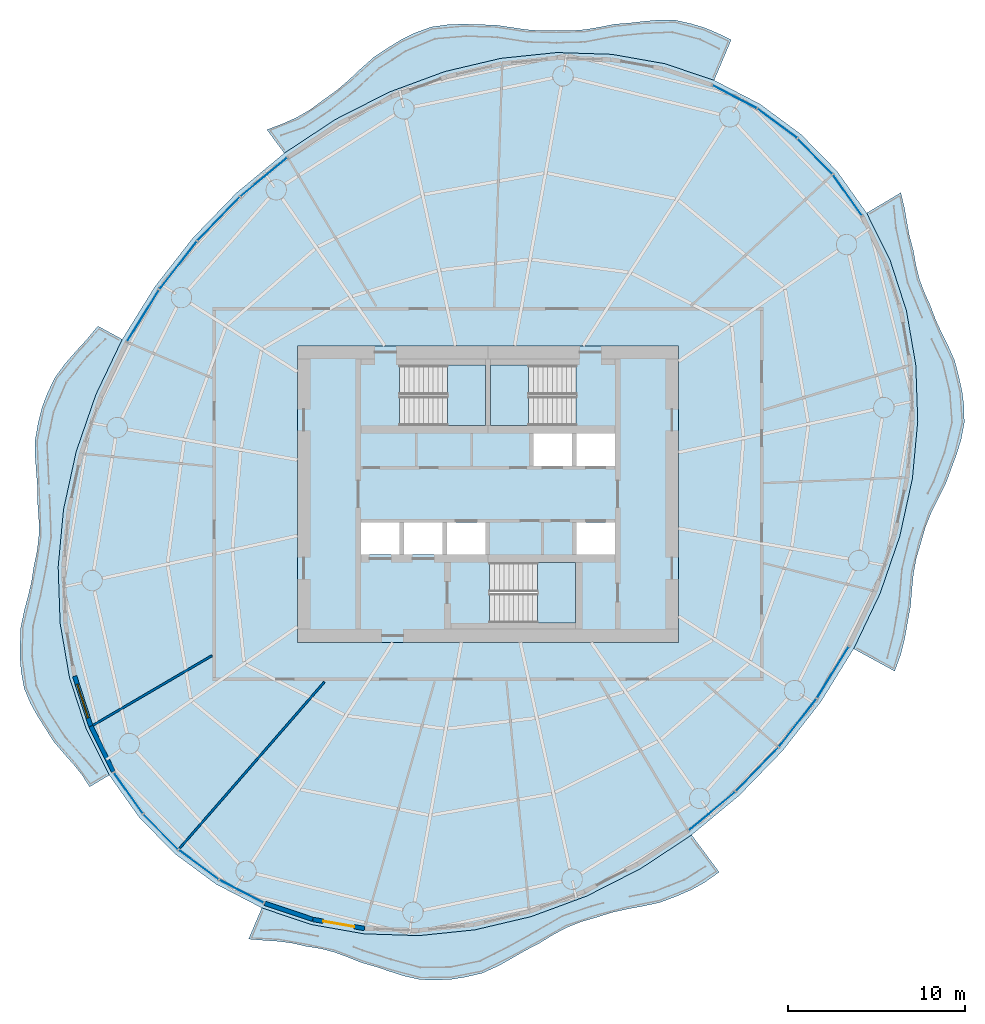
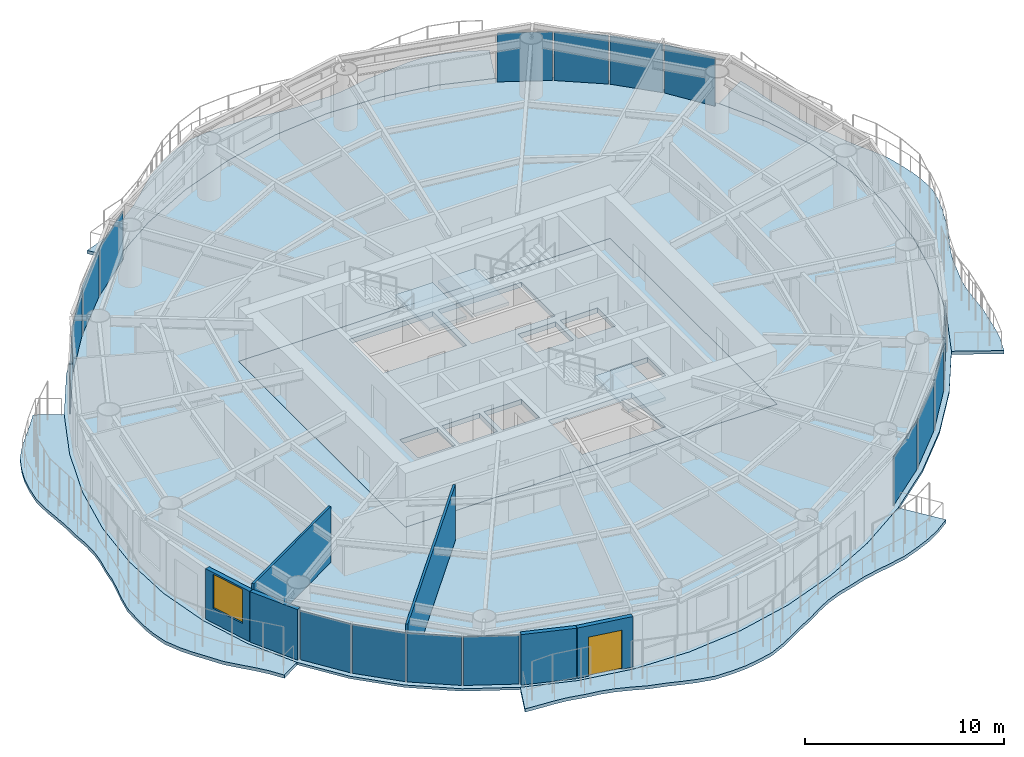
# One storey, part 7 of 14: 16 plates, 9 slabs, 6 walls, 1 door, 1 window, 2 openings, 19 elements without a shape of their own.
"""IFC4 building model written with IfcOpenShell, lengths in metres."""

from ifc_helpers import new_model, si_unit, direction, frame, frame_2d, origin, origin_2d, place, context, subcontext, project, spatial, polyline, rectangle, outline, extrude, material, layer, layer_set, type_object, element, fill, aggregate, save


model = new_model("IFC4")

# Units and contexts
model_context = context("Model", 3, precision=1e-05, world=origin(), true_north=direction((0.0, 1.0)))
body_context = subcontext(model_context, "Body", "Model", "MODEL_VIEW")
ifc_project = project(units=[si_unit("LENGTHUNIT", "METRE"), si_unit("AREAUNIT", "SQUARE_METRE"), si_unit("VOLUMEUNIT", "CUBIC_METRE"), si_unit("PLANEANGLEUNIT", "RADIAN"), si_unit("MASSUNIT", "GRAM", prefix="KILO")], contexts=[model_context])

# Site, building, storey
site_placement = place(None, origin())
site = spatial("IfcSite", under=ifc_project, at=site_placement, CompositionType="ELEMENT")
building_placement = place(site_placement, origin())
building = spatial("IfcBuilding", under=site, at=building_placement, Name="Vermilion Reach Broadcast Tower", CompositionType="ELEMENT")
storey_placement = place(building_placement, frame((0.0, 0.0, 228.10009765625)))
storey = spatial("IfcBuildingStorey", under=building, at=storey_placement, Name="L56", CompositionType="ELEMENT", Elevation=228.10009765625)

# Slabs
ifc_material_1 = material(Name="Concrete C40/50", Category="concrete")
ifc_layer_1 = layer(ifc_material_1, 0.199951171875)
ifc_layer_set_1 = layer_set([ifc_layer_1], Name="Balcony slab 200")
slab_type_1 = type_object("IfcSlabType", Name="Balcony slab 200", PredefinedType="FLOOR", material=ifc_layer_set_1)
placement_1 = place(storey_placement, frame((0.0, 0.0, -0.2001953125)))
element("IfcSlab", 1, at=placement_1, inside=storey, type_object=slab_type_1, Name="Balcony slab L56 group 1", PredefinedType="FLOOR", context=body_context, shape_type="SweptSolid", body=[
    extrude(outline(polyline([(6.810791015625, 23.44189453125), (3.996826171875, 24.38525390625), (1.01220703125, 24.91162109375), (-2.092529296875, 25.01171875), (-5.26416015625, 24.683837890625), (-8.448486328125, 23.93359375), (-11.5908203125, 22.77392578125), (-14.637451171875, 21.224365234375), (-17.536376953125, 19.311767578125), (-18.520751953125, 20.639404296875), (-17.603271484375, 20.989990234375), (-16.801513671875, 21.351318359375), (-16.050537109375, 21.789794921875), (-15.29296875, 22.3515625), (-14.52978515625, 22.897705078125), (-13.863525390625, 23.47265625), (-13.2158203125, 24.083984375), (-12.4580078125, 24.75830078125), (-11.63134765625, 25.302490234375), (-10.903564453125, 25.748779296875), (-10.148193359375, 26.12060546875), (-9.2099609375, 26.462646484375), (-8.236083984375, 26.59814453125), (-7.40185546875, 26.623779296875), (-6.55517578125, 26.596923828125), (-5.5830078125, 26.57275390625), (-4.6435546875, 26.4326171875), (-3.829833984375, 26.3125), (-3.02197265625, 26.24951171875), (-2.13720703125, 26.269287109375), (-1.275634765625, 26.251953125), (-0.49658203125, 26.3154296875), (0.28466796875, 26.4462890625), (1.189697265625, 26.623291015625), (2.095703125, 26.69384765625), (2.881591796875, 26.78662109375), (3.6630859375, 26.85546875), (4.622802734375, 26.846435546875), (5.53515625, 26.638916015625), (6.245849609375, 26.4248046875), (6.93359375, 26.14208984375), (7.7822265625, 25.734375), (6.810791015625, 23.44189453125)])), origin(), (0.0, 0.0, 1.0), 0.2001953125),
])
element("IfcSlab", 2, at=placement_1, inside=storey, type_object=slab_type_1, Name="Balcony slab L56 group 2", PredefinedType="FLOOR", context=body_context, shape_type="SweptSolid", body=[
    extrude(outline(polyline([(-26.71728515625, 8.765380859375), (-28.212158203125, 5.630615234375), (-29.326904296875, 2.3994140625), (-30.042724609375, -0.872802734375), (-30.346923828125, -4.1298828125), (-30.23486328125, -7.31640625), (-29.707763671875, -10.3779296875), (-28.775390625, -13.26171875), (-27.453125, -15.91845703125), (-28.558837890625, -16.580078125), (-29.026611328125, -15.872802734375), (-29.502197265625, -15.281005859375), (-30.01513671875, -14.707275390625), (-30.61181640625, -14.0107421875), (-31.10498046875, -13.21875), (-31.526611328125, -12.55859375), (-31.901611328125, -11.883544921875), (-32.272705078125, -11.009765625), (-32.4453125, -10.06103515625), (-32.50830078125, -9.283935546875), (-32.501220703125, -8.49462890625), (-32.4658203125, -7.546630859375), (-32.2646484375, -6.59033203125), (-32.0517578125, -5.78515625), (-31.861328125, -4.98095703125), (-31.722900390625, -4.090087890625), (-31.53662109375, -3.197265625), (-31.443603515625, -2.384521484375), (-31.43798828125, -1.563720703125), (-31.50244140625, -0.645751953125), (-31.514404296875, 0.306396484375), (-31.578857421875, 1.177734375), (-31.64501953125, 2.04931640625), (-31.650146484375, 3.052001953125), (-31.4775390625, 4.04541015625), (-31.270751953125, 4.8779296875), (-30.97314453125, 5.67919921875), (-30.541748046875, 6.58447265625), (-29.932373046875, 7.412841796875), (-29.33642578125, 8.090576171875), (-28.724853515625, 8.7607421875), (-28.093994140625, 9.51708984375), (-26.71728515625, 8.765380859375)])), origin(), (0.0, 0.0, 1.0), 0.2001953125),
])
element("IfcSlab", 3, at=placement_1, inside=storey, type_object=slab_type_1, Name="Balcony slab L56 group 3", PredefinedType="FLOOR", context=body_context, shape_type="SweptSolid", body=[
    extrude(outline(polyline([(-18.810791015625, -23.44189453125), (-15.996826171875, -24.38525390625), (-13.01220703125, -24.91162109375), (-9.907470703125, -25.01171875), (-6.73583984375, -24.683837890625), (-3.551513671875, -23.93359375), (-0.4091796875, -22.77392578125), (2.637451171875, -21.224365234375), (5.536376953125, -19.311767578125), (7.0966796875, -21.416015625), (6.270263671875, -22.000732421875), (5.50927734375, -22.423828125), (4.69873046875, -22.772216796875), (3.747314453125, -23.13232421875), (2.759033203125, -23.3486328125), (1.8818359375, -23.5087890625), (1.020751953125, -23.700439453125), (0.1201171875, -23.9853515625), (-0.760986328125, -24.23876953125), (-1.5380859375, -24.552001953125), (-2.284423828125, -24.94873046875), (-3.095458984375, -25.44775390625), (-3.9326171875, -25.882080078125), (-4.671875, -26.311279296875), (-5.4140625, -26.7275390625), (-6.321533203125, -27.138427734375), (-7.2607421875, -27.3583984375), (-8.049072265625, -27.483642578125), (-8.84619140625, -27.525634765625), (-9.819091796875, -27.506591796875), (-10.758056640625, -27.297607421875), (-11.527099609375, -27.052978515625), (-12.295654296875, -26.792236328125), (-13.180908203125, -26.538330078125), (-14.009521484375, -26.204345703125), (-14.73291015625, -25.944091796875), (-15.468505859375, -25.751708984375), (-16.310302734375, -25.6171875), (-17.13037109375, -25.431884765625), (-17.880615234375, -25.33544921875), (-18.645751953125, -25.283447265625), (-19.559814453125, -25.20947265625), (-18.810791015625, -23.44189453125)])), origin(), (0.0, 0.0, 1.0), 0.2001953125),
])
element("IfcSlab", 4, at=placement_1, inside=storey, type_object=slab_type_1, Name="Balcony slab L56 group 4", PredefinedType="FLOOR", context=body_context, shape_type="SweptSolid", body=[
    extrude(outline(polyline([(14.71728515625, -8.765380859375), (16.212158203125, -5.630615234375), (17.326904296875, -2.3994140625), (18.042724609375, 0.872802734375), (18.346923828125, 4.1298828125), (18.23486328125, 7.31640625), (17.707763671875, 10.3779296875), (16.775390625, 13.26171875), (15.453125, 15.91845703125), (17.38916015625, 17.07666015625), (17.603271484375, 16.159912109375), (17.73193359375, 15.395263671875), (17.8740234375, 14.63720703125), (18.09619140625, 13.800537109375), (18.2470703125, 12.941162109375), (18.431884765625, 12.20458984375), (18.68896484375, 11.491455078125), (19.04541015625, 10.70751953125), (19.3564453125, 9.87353515625), (19.69677734375, 9.14404296875), (20.0595703125, 8.41845703125), (20.44384765625, 7.54443359375), (20.681884765625, 6.60498046875), (20.8583984375, 5.813720703125), (20.960693359375, 5.01953125), (20.986083984375, 4.053466796875), (20.800537109375, 3.079345703125), (20.556640625, 2.280517578125), (20.260009765625, 1.487060546875), (19.92724609375, 0.57958984375), (19.482666015625, -0.29931640625), (19.1005859375, -1.072998046875), (18.783203125, -1.86083984375), (18.533203125, -2.73828125), (18.265625, -3.627197265625), (18.10791015625, -4.476806640625), (18.019775390625, -5.350341796875), (17.9404296875, -6.338134765625), (17.7587890625, -7.330078125), (17.599853515625, -8.216064453125), (17.387451171875, -9.076904296875), (17.036865234375, -10.031982421875), (14.71728515625, -8.765380859375)])), origin(), (0.0, 0.0, 1.0), 0.2001953125),
])
ifc_material_2 = material(Name="Concrete C40", Category="concrete")
ifc_layer_2 = layer(ifc_material_2, 0.300048828125)
ifc_layer_set_2 = layer_set([ifc_layer_2], Name="Core floor slab 300 mm Concrete C40")
slab_type_2 = type_object("IfcSlabType", Name="Core floor slab 300 mm Concrete C40", PredefinedType="FLOOR", material=ifc_layer_set_2)
slab_5_placement = place(storey_placement, frame((0.0, 0.0, -0.300048828125)))
element("IfcSlab", 5, at=slab_5_placement, inside=storey, type_object=slab_type_2, Name="L56 core floor", PredefinedType="FLOOR", context=body_context, shape_type="SweptSolid", body=[
    extrude(outline(polyline([(-16.800048828125, -8.39990234375), (4.800048828125, -8.39990234375), (4.800048828125, 8.39990234375), (-16.800048828125, 8.39990234375), (-16.800048828125, -8.39990234375)]), holes=[polyline([(-3.433349609375, 1.60009765625), (-1.24169921875, 1.60009765625), (-1.24169921875, 3.429931640625), (-3.433349609375, 3.429931640625), (-3.433349609375, 1.60009765625)]), polyline([(-0.99169921875, 1.60009765625), (1.199951171875, 1.60009765625), (1.199951171875, 3.429931640625), (-0.99169921875, 3.429931640625), (-0.99169921875, 1.60009765625)]), polyline([(-13.199951171875, -3.429931640625), (-11.00830078125, -3.429931640625), (-11.00830078125, -1.60009765625), (-13.199951171875, -1.60009765625), (-13.199951171875, -3.429931640625)]), polyline([(-10.75830078125, -3.429931640625), (-8.566650390625, -3.429931640625), (-8.566650390625, -1.60009765625), (-10.75830078125, -1.60009765625), (-10.75830078125, -3.429931640625)]), polyline([(-8.316650390625, -3.429931640625), (-6.125, -3.429931640625), (-6.125, -1.60009765625), (-8.316650390625, -1.60009765625), (-8.316650390625, -3.429931640625)]), polyline([(-0.99169921875, -3.429931640625), (1.199951171875, -3.429931640625), (1.199951171875, -1.60009765625), (-0.99169921875, -1.60009765625), (-0.99169921875, -3.429931640625)]), polyline([(-10.999267578125, 3.8798828125), (-6.14990234375, 3.8798828125), (-6.14990234375, 7.300048828125), (-10.999267578125, 7.300048828125), (-10.999267578125, 3.8798828125)]), polyline([(-1.000732421875, 7.300048828125), (-5.85009765625, 7.300048828125), (-5.85009765625, 3.8798828125), (-1.000732421875, 3.8798828125), (-1.000732421875, 7.300048828125)]), polyline([(-5.8994140625, -7.300048828125), (-1.050048828125, -7.300048828125), (-1.050048828125, -3.8798828125), (-5.8994140625, -3.8798828125), (-5.8994140625, -7.300048828125)])]), origin(), (0.0, 0.0, 1.0), 0.300048828125),
])

# Stair, slab
ifc_material_3 = material(Name="Concrete C40", Category="concrete")
stair_type = type_object("IfcStairType", Name="Exit stair RC 22 risers 164 mm", PredefinedType="HALF_TURN_STAIR", material=ifc_material_3)
placement_2 = place(storey_placement, origin())
stair_1 = element("IfcStair", 6, at=placement_2, inside=storey, type_object=stair_type, Name="L56 Exit stair ST1", PredefinedType="HALF_TURN_STAIR")
ifc_material_4 = material(Name="Concrete C40", Category="concrete")
ifc_layer_3 = layer(ifc_material_4, 0.199951171875)
ifc_layer_set_3 = layer_set([ifc_layer_3], Name="Exit stair landing Concrete C40")
slab_type_3 = type_object("IfcSlabType", Name="Exit stair landing Concrete C40", PredefinedType="LANDING", material=ifc_layer_set_3)
placement_3 = place(storey_placement, frame((0.0, 0.0, 1.599853515625)))
slab_6 = element("IfcSlab", 7, at=placement_3, type_object=slab_type_3, Name="ST1 landing 1", PredefinedType="LANDING", context=body_context, shape_type="SweptSolid", body=[
    extrude(outline(polyline([(-8.300048828125, 3.8798828125), (-6.14990234375, 3.8798828125), (-6.14990234375, 7.300048828125), (-8.300048828125, 7.300048828125), (-8.300048828125, 3.8798828125)])), origin(), (0.0, 0.0, 1.0), 0.199951171875),
])
aggregate(stair_1, [slab_6])

stair_2 = element("IfcStair", 8, at=placement_2, inside=storey, type_object=stair_type, Name="L56 Exit stair ST2", PredefinedType="HALF_TURN_STAIR")
slab_7 = element("IfcSlab", 9, at=placement_3, type_object=slab_type_3, Name="ST2 landing 1", PredefinedType="LANDING", context=body_context, shape_type="SweptSolid", body=[
    extrude(outline(polyline([(-3.699951171875, 7.300048828125), (-5.85009765625, 7.300048828125), (-5.85009765625, 3.8798828125), (-3.699951171875, 3.8798828125), (-3.699951171875, 7.300048828125)])), origin(), (0.0, 0.0, 1.0), 0.199951171875),
])
aggregate(stair_2, [slab_7])

stair_3 = element("IfcStair", 10, at=placement_2, inside=storey, type_object=stair_type, Name="L56 Exit stair ST3", PredefinedType="HALF_TURN_STAIR")
slab_8 = element("IfcSlab", 11, at=placement_3, type_object=slab_type_3, Name="ST3 landing 1", PredefinedType="LANDING", context=body_context, shape_type="SweptSolid", body=[
    extrude(outline(polyline([(-3.199951171875, -7.300048828125), (-1.050048828125, -7.300048828125), (-1.050048828125, -3.8798828125), (-3.199951171875, -3.8798828125), (-3.199951171875, -7.300048828125)])), origin(), (0.0, 0.0, 1.0), 0.199951171875),
])
aggregate(stair_3, [slab_8])

# Slab
ifc_material_5 = material(Name="Concrete C40", Category="concrete")
ifc_layer_4 = layer(ifc_material_5, 0.14990234375)
ifc_layer_set_4 = layer_set([ifc_layer_4], Name="Floor slab Concrete C40 composite 150")
slab_type_4 = type_object("IfcSlabType", Name="Floor slab Concrete C40 composite 150", PredefinedType="FLOOR", material=ifc_layer_set_4)
slab_9_placement = place(storey_placement, frame((0.0, 0.0, -0.150146484375)))
element("IfcSlab", 12, at=slab_9_placement, inside=storey, type_object=slab_type_4, Name="Floor slab L56", PredefinedType="FLOOR", context=body_context, shape_type="SweptSolid", body=[
    extrude(outline(polyline([(11.736083984375, 20.37451171875), (9.4052734375, 22.09716796875), (6.810791015625, 23.44189453125), (3.996826171875, 24.38525390625), (1.01220703125, 24.91162109375), (-2.092529296875, 25.01171875), (-5.26416015625, 24.683837890625), (-8.448486328125, 23.93359375), (-11.5908203125, 22.77392578125), (-14.637451171875, 21.224365234375), (-17.536376953125, 19.311767578125), (-20.23779296875, 17.06884765625), (-22.69580078125, 14.533935546875), (-24.867919921875, 11.75), (-26.71728515625, 8.765380859375), (-28.212158203125, 5.630615234375), (-29.326904296875, 2.3994140625), (-30.042724609375, -0.872802734375), (-30.346923828125, -4.1298828125), (-30.23486328125, -7.31640625), (-29.707763671875, -10.3779296875), (-28.775390625, -13.26171875), (-27.453125, -15.91845703125), (-25.763671875, -18.302978515625), (-23.736083984375, -20.37451171875), (-21.4052734375, -22.09716796875), (-18.810791015625, -23.44189453125), (-15.996826171875, -24.38525390625), (-13.01220703125, -24.91162109375), (-9.907470703125, -25.01171875), (-6.73583984375, -24.683837890625), (-3.551513671875, -23.93359375), (-0.4091796875, -22.77392578125), (2.637451171875, -21.224365234375), (5.536376953125, -19.311767578125), (8.23779296875, -17.06884765625), (10.69580078125, -14.533935546875), (12.867919921875, -11.75), (14.71728515625, -8.765380859375), (16.212158203125, -5.630615234375), (17.326904296875, -2.3994140625), (18.042724609375, 0.872802734375), (18.346923828125, 4.1298828125), (18.23486328125, 7.31640625), (17.707763671875, 10.3779296875), (16.775390625, 13.26171875), (15.453125, 15.91845703125), (13.763671875, 18.302978515625), (11.736083984375, 20.37451171875)]), holes=[polyline([(-16.800048828125, -8.39990234375), (4.800048828125, -8.39990234375), (4.800048828125, 8.39990234375), (-16.800048828125, 8.39990234375), (-16.800048828125, -8.39990234375)])]), origin(), (0.0, 0.0, 1.0), 0.150146484375),
])

# Curtain wall, plate
ifc_material_6 = material(Name="Low-e laminated clear glass in aluminium frame", Category="aluminium")
curtain_wall_type = type_object("IfcCurtainWallType", Name="Slot curtain wall", PredefinedType="NOTDEFINED", material=ifc_material_6)
curtain_wall_1 = element("IfcCurtainWall", 13, at=placement_2, inside=storey, type_object=curtain_wall_type, Name="Slot curtain wall L56 46", PredefinedType="NOTDEFINED")
ifc_material_7 = material(Name="Low-e laminated clear glass", Category="glass")
ifc_layer_5 = layer(ifc_material_7, 0.028076171875)
ifc_layer_set_5 = layer_set([ifc_layer_5], Name="Slot glass panel")
plate_type = type_object("IfcPlateType", Name="Slot glass panel", PredefinedType="CURTAIN_PANEL", material=ifc_layer_set_5)
plate_1_placement = place(storey_placement, frame((14.364501953125, 16.937744140625, 0.0), z_axis=(0.0, 0.0, 1.0), x_axis=(-0.578077639541, 0.815981766134, 0.0)))
plate_1 = element("IfcPlate", 14, at=plate_1_placement, type_object=plate_type, Name="Slot glass panel L56 46", PredefinedType="CURTAIN_PANEL", context=body_context, shape_type="SweptSolid", body=[
    extrude(rectangle(XDim=2.79541015625, YDim=0.028076171875, at=origin_2d()), origin(), (0.0, 0.0, 1.0), 3.0),
])
aggregate(curtain_wall_1, [plate_1])

curtain_wall_2 = element("IfcCurtainWall", 15, at=placement_2, inside=storey, type_object=curtain_wall_type, Name="Slot curtain wall L56 47", PredefinedType="NOTDEFINED")
plate_2_placement = place(storey_placement, frame((12.536376953125, 19.12939453125, 0.0), z_axis=(0.0, 0.0, 1.0), x_axis=(-0.699498258204, 0.714634302822, 0.0)))
plate_2 = element("IfcPlate", 16, at=plate_2_placement, type_object=plate_type, Name="Slot glass panel L56 47", PredefinedType="CURTAIN_PANEL", context=body_context, shape_type="SweptSolid", body=[
    extrude(rectangle(XDim=2.770751953125, YDim=0.028076171875, at=origin_2d()), origin(), (0.0, 0.0, 1.0), 3.0),
])
aggregate(curtain_wall_2, [plate_2])

curtain_wall_3 = element("IfcCurtainWall", 17, at=placement_2, inside=storey, type_object=curtain_wall_type, Name="Slot curtain wall L56 00", PredefinedType="NOTDEFINED")
plate_3_placement = place(storey_placement, frame((10.392822265625, 20.995361328125, 0.0), z_axis=(0.0, 0.0, 1.0), x_axis=(-0.804201831256, 0.594356302738, 0.0)))
plate_3 = element("IfcPlate", 18, at=plate_3_placement, type_object=plate_type, Name="Slot glass panel L56 00", PredefinedType="CURTAIN_PANEL", context=body_context, shape_type="SweptSolid", body=[
    extrude(rectangle(XDim=2.770751953125, YDim=0.028076171875, at=origin_2d()), origin(), (0.0, 0.0, 1.0), 3.0),
])
aggregate(curtain_wall_3, [plate_3])

curtain_wall_4 = element("IfcCurtainWall", 19, at=placement_2, inside=storey, type_object=curtain_wall_type, Name="Slot curtain wall L56 01", PredefinedType="NOTDEFINED")
plate_4_placement = place(storey_placement, frame((7.97021484375, 22.50390625, 0.0), z_axis=(0.0, 0.0, 1.0), x_axis=(-0.887851881614, 0.460129369107, 0.0)))
plate_4 = element("IfcPlate", 20, at=plate_4_placement, type_object=plate_type, Name="Slot glass panel L56 01", PredefinedType="CURTAIN_PANEL", context=body_context, shape_type="SweptSolid", body=[
    extrude(rectangle(XDim=2.79541015625, YDim=0.028076171875, at=origin_2d()), origin(), (0.0, 0.0, 1.0), 3.0),
])
aggregate(curtain_wall_4, [plate_4])

curtain_wall_5 = element("IfcCurtainWall", 21, at=placement_2, inside=storey, type_object=curtain_wall_type, Name="Slot curtain wall L56 10", PredefinedType="NOTDEFINED")
plate_5_placement = place(storey_placement, frame((-18.69580078125, 17.9599609375, 0.0), z_axis=(0.0, 0.0, 1.0), x_axis=(-0.769372084282, -0.638800904765, 0.0)))
plate_5 = element("IfcPlate", 22, at=plate_5_placement, type_object=plate_type, Name="Slot glass panel L56 10", PredefinedType="CURTAIN_PANEL", context=body_context, shape_type="SweptSolid", body=[
    extrude(rectangle(XDim=3.398681640625, YDim=0.028076171875, at=origin_2d()), origin(), (0.0, 0.0, 1.0), 3.0),
])
aggregate(curtain_wall_5, [plate_5])

curtain_wall_6 = element("IfcCurtainWall", 23, at=placement_2, inside=storey, type_object=curtain_wall_type, Name="Slot curtain wall L56 11", PredefinedType="NOTDEFINED")
plate_6_placement = place(storey_placement, frame((-21.251708984375, 15.5927734375, 0.0), z_axis=(0.0, 0.0, 1.0), x_axis=(-0.696092192741, -0.71795240734, 0.0)))
plate_6 = element("IfcPlate", 24, at=plate_6_placement, type_object=plate_type, Name="Slot glass panel L56 11", PredefinedType="CURTAIN_PANEL", context=body_context, shape_type="SweptSolid", body=[
    extrude(rectangle(XDim=3.418701171875, YDim=0.028076171875, at=origin_2d()), origin(), (0.0, 0.0, 1.0), 3.0),
])
aggregate(curtain_wall_6, [plate_6])

curtain_wall_7 = element("IfcCurtainWall", 25, at=placement_2, inside=storey, type_object=curtain_wall_type, Name="Slot curtain wall L56 12", PredefinedType="NOTDEFINED")
plate_7_placement = place(storey_placement, frame((-23.545654296875, 12.957763671875, 0.0), z_axis=(0.0, 0.0, 1.0), x_axis=(-0.61518935952, -0.78837938325, 0.0)))
plate_7 = element("IfcPlate", 26, at=plate_7_placement, type_object=plate_type, Name="Slot glass panel L56 12", PredefinedType="CURTAIN_PANEL", context=body_context, shape_type="SweptSolid", body=[
    extrude(rectangle(XDim=3.418701171875, YDim=0.028076171875, at=origin_2d()), origin(), (0.0, 0.0, 1.0), 3.0),
])
aggregate(curtain_wall_7, [plate_7])

curtain_wall_8 = element("IfcCurtainWall", 27, at=placement_2, inside=storey, type_object=curtain_wall_type, Name="Slot curtain wall L56 13", PredefinedType="NOTDEFINED")
plate_8_placement = place(storey_placement, frame((-25.537841796875, 10.10009765625, 0.0), z_axis=(0.0, 0.0, 1.0), x_axis=(-0.52669551012, -0.850054021589, 0.0)))
plate_8 = element("IfcPlate", 28, at=plate_8_placement, type_object=plate_type, Name="Slot glass panel L56 13", PredefinedType="CURTAIN_PANEL", context=body_context, shape_type="SweptSolid", body=[
    extrude(rectangle(XDim=3.398681640625, YDim=0.028076171875, at=origin_2d()), origin(), (0.0, 0.0, 1.0), 3.0),
])
aggregate(curtain_wall_8, [plate_8])

curtain_wall_9 = element("IfcCurtainWall", 29, at=placement_2, inside=storey, type_object=curtain_wall_type, Name="Slot curtain wall L56 22", PredefinedType="NOTDEFINED")
plate_9_placement = place(storey_placement, frame((-26.364501953125, -16.937744140625, 0.0), z_axis=(0.0, 0.0, 1.0), x_axis=(0.578077639541, -0.815981766134, 0.0)))
plate_9 = element("IfcPlate", 30, at=plate_9_placement, type_object=plate_type, Name="Slot glass panel L56 22", PredefinedType="CURTAIN_PANEL", context=body_context, shape_type="SweptSolid", body=[
    extrude(rectangle(XDim=2.79541015625, YDim=0.028076171875, at=origin_2d()), origin(), (0.0, 0.0, 1.0), 3.0),
])
aggregate(curtain_wall_9, [plate_9])

curtain_wall_10 = element("IfcCurtainWall", 31, at=placement_2, inside=storey, type_object=curtain_wall_type, Name="Slot curtain wall L56 23", PredefinedType="NOTDEFINED")
plate_10_placement = place(storey_placement, frame((-24.536376953125, -19.12939453125, 0.0), z_axis=(0.0, 0.0, 1.0), x_axis=(0.699498258204, -0.714634302822, 0.0)))
plate_10 = element("IfcPlate", 32, at=plate_10_placement, type_object=plate_type, Name="Slot glass panel L56 23", PredefinedType="CURTAIN_PANEL", context=body_context, shape_type="SweptSolid", body=[
    extrude(rectangle(XDim=2.770751953125, YDim=0.028076171875, at=origin_2d()), origin(), (0.0, 0.0, 1.0), 3.0),
])
aggregate(curtain_wall_10, [plate_10])

curtain_wall_11 = element("IfcCurtainWall", 33, at=placement_2, inside=storey, type_object=curtain_wall_type, Name="Slot curtain wall L56 24", PredefinedType="NOTDEFINED")
plate_11_placement = place(storey_placement, frame((-22.392822265625, -20.995361328125, 0.0), z_axis=(0.0, 0.0, 1.0), x_axis=(0.804201831256, -0.594356302738, 0.0)))
plate_11 = element("IfcPlate", 34, at=plate_11_placement, type_object=plate_type, Name="Slot glass panel L56 24", PredefinedType="CURTAIN_PANEL", context=body_context, shape_type="SweptSolid", body=[
    extrude(rectangle(XDim=2.770751953125, YDim=0.028076171875, at=origin_2d()), origin(), (0.0, 0.0, 1.0), 3.0),
])
aggregate(curtain_wall_11, [plate_11])

curtain_wall_12 = element("IfcCurtainWall", 35, at=placement_2, inside=storey, type_object=curtain_wall_type, Name="Slot curtain wall L56 25", PredefinedType="NOTDEFINED")
plate_12_placement = place(storey_placement, frame((-19.97021484375, -22.50390625, 0.0), z_axis=(0.0, 0.0, 1.0), x_axis=(0.887851881614, -0.460129369107, 0.0)))
plate_12 = element("IfcPlate", 36, at=plate_12_placement, type_object=plate_type, Name="Slot glass panel L56 25", PredefinedType="CURTAIN_PANEL", context=body_context, shape_type="SweptSolid", body=[
    extrude(rectangle(XDim=2.79541015625, YDim=0.028076171875, at=origin_2d()), origin(), (0.0, 0.0, 1.0), 3.0),
])
aggregate(curtain_wall_12, [plate_12])

curtain_wall_13 = element("IfcCurtainWall", 37, at=placement_2, inside=storey, type_object=curtain_wall_type, Name="Slot curtain wall L56 34", PredefinedType="NOTDEFINED")
plate_13_placement = place(storey_placement, frame((6.69580078125, -17.9599609375, 0.0), z_axis=(0.0, 0.0, 1.0), x_axis=(0.769372084282, 0.638800904765, 0.0)))
plate_13 = element("IfcPlate", 38, at=plate_13_placement, type_object=plate_type, Name="Slot glass panel L56 34", PredefinedType="CURTAIN_PANEL", context=body_context, shape_type="SweptSolid", body=[
    extrude(rectangle(XDim=3.398681640625, YDim=0.028076171875, at=origin_2d()), origin(), (0.0, 0.0, 1.0), 3.0),
])
aggregate(curtain_wall_13, [plate_13])

curtain_wall_14 = element("IfcCurtainWall", 39, at=placement_2, inside=storey, type_object=curtain_wall_type, Name="Slot curtain wall L56 35", PredefinedType="NOTDEFINED")
plate_14_placement = place(storey_placement, frame((9.251708984375, -15.5927734375, 0.0), z_axis=(0.0, 0.0, 1.0), x_axis=(0.696092192741, 0.71795240734, 0.0)))
plate_14 = element("IfcPlate", 40, at=plate_14_placement, type_object=plate_type, Name="Slot glass panel L56 35", PredefinedType="CURTAIN_PANEL", context=body_context, shape_type="SweptSolid", body=[
    extrude(rectangle(XDim=3.418701171875, YDim=0.028076171875, at=origin_2d()), origin(), (0.0, 0.0, 1.0), 3.0),
])
aggregate(curtain_wall_14, [plate_14])

curtain_wall_15 = element("IfcCurtainWall", 41, at=placement_2, inside=storey, type_object=curtain_wall_type, Name="Slot curtain wall L56 36", PredefinedType="NOTDEFINED")
plate_15_placement = place(storey_placement, frame((11.545654296875, -12.957763671875, 0.0), z_axis=(0.0, 0.0, 1.0), x_axis=(0.61518935952, 0.78837938325, 0.0)))
plate_15 = element("IfcPlate", 42, at=plate_15_placement, type_object=plate_type, Name="Slot glass panel L56 36", PredefinedType="CURTAIN_PANEL", context=body_context, shape_type="SweptSolid", body=[
    extrude(rectangle(XDim=3.418701171875, YDim=0.028076171875, at=origin_2d()), origin(), (0.0, 0.0, 1.0), 3.0),
])
aggregate(curtain_wall_15, [plate_15])

curtain_wall_16 = element("IfcCurtainWall", 43, at=placement_2, inside=storey, type_object=curtain_wall_type, Name="Slot curtain wall L56 37", PredefinedType="NOTDEFINED")
plate_16_placement = place(storey_placement, frame((13.537841796875, -10.10009765625, 0.0), z_axis=(0.0, 0.0, 1.0), x_axis=(0.52669551012, 0.850054021589, 0.0)))
plate_16 = element("IfcPlate", 44, at=plate_16_placement, type_object=plate_type, Name="Slot glass panel L56 37", PredefinedType="CURTAIN_PANEL", context=body_context, shape_type="SweptSolid", body=[
    extrude(rectangle(XDim=3.398681640625, YDim=0.028076171875, at=origin_2d()), origin(), (0.0, 0.0, 1.0), 3.0),
])
aggregate(curtain_wall_16, [plate_16])

# Walls
ifc_material_8 = material(Name="Fire-rated plasterboard on steel stud", Category="steel")
ifc_layer_6 = layer(ifc_material_8, 0.125)
ifc_layer_set_6 = layer_set([ifc_layer_6], Name="Partition 125 fire-rated stud")
wall_type_1 = type_object("IfcWallType", Name="Partition 125 fire-rated stud", PredefinedType="PARTITIONING", material=ifc_layer_set_6)
wall_1_placement = place(storey_placement, frame((-28.381591796875, -13.1015625, 0.0), z_axis=(0.0, 0.0, 1.0), x_axis=(0.863003515908, 0.505197913229, 0.0)))
element("IfcWall", 45, at=wall_1_placement, inside=storey, type_object=wall_type_1, Name="Partition 56.05", PredefinedType="PARTITIONING", context=body_context, shape_type="SweptSolid", body=[
    extrude(rectangle(XDim=7.821533203125, YDim=0.125, at=frame_2d((3.91064453125, 0.0))), origin(), (0.0, 0.0, 1.0), 3.449951171875),
])
wall_2_placement = place(storey_placement, frame((-23.45703125, -20.053955078125, 0.0), z_axis=(0.0, 0.0, 1.0), x_axis=(0.656578688223, 0.754257533056, 0.0)))
element("IfcWall", 46, at=wall_2_placement, inside=storey, type_object=wall_type_1, Name="Partition 56.06", PredefinedType="PARTITIONING", context=body_context, shape_type="SweptSolid", body=[
    extrude(rectangle(XDim=12.4794921875, YDim=0.125, at=frame_2d((6.23974609375, 0.0))), origin(), (0.0, 0.0, 1.0), 3.449951171875),
])

# Wall, opening, window
ifc_material_9 = material(Name="Terracotta rainscreen cladding", Category="masonry")
ifc_layer_7 = layer(ifc_material_9, 0.25)
ifc_layer_set_7 = layer_set([ifc_layer_7], Name="Terracotta rainscreen wall 250")
wall_type_2 = type_object("IfcWallType", Name="Terracotta rainscreen wall 250", PredefinedType="SOLIDWALL", material=ifc_layer_set_7)
wall_3_placement = place(storey_placement, frame((-29.41259765625, -10.318603515625, 0.0), z_axis=(0.0, 0.0, 1.0), x_axis=(0.307706130581, -0.951481443436, 0.0)))
wall_3 = element("IfcWall", 47, at=wall_3_placement, inside=storey, type_object=wall_type_2, Name="External wall L56 20", PredefinedType="SOLIDWALL", context=body_context, shape_type="SweptSolid", body=[
    extrude(rectangle(XDim=2.9609375, YDim=0.25, at=frame_2d((1.48046875, 0.0))), origin(), (0.0, 0.0, 1.0), 3.099853515625),
])
opening_1_placement = place(wall_3_placement, frame((0.48046875, 0.0, 0.89990234375)))
opening_1 = element("IfcOpeningElement", 48, at=opening_1_placement, cuts=wall_3, Name="Opening W03", PredefinedType="OPENING", context=body_context, shape_type="SweptSolid", body=[
    extrude(rectangle(XDim=2.0, YDim=2.10009765625, at=frame_2d((1.0, 1.050048828125))), frame((0.0, 0.135009765625, 0.0), z_axis=(0.0, -1.0, 0.0), x_axis=(1.0, 0.0, 0.0)), (0.0, 0.0, 1.0), 0.27001953125),
])
ifc_material_10 = material(Name="Low-e laminated clear glass in aluminium frame", Category="aluminium")
window_type = type_object("IfcWindowType", Name="Punched window 2000 x 2100 sill 900", PartitioningType="SINGLE_PANEL", PredefinedType="WINDOW", material=ifc_material_10)
window_placement = place(opening_1_placement, origin())
window = element("IfcWindow", 49, at=window_placement, inside=storey, type_object=window_type, Name="Window L56 20", OverallHeight=2.10009765625, OverallWidth=2.0, PartitioningType="SINGLE_PANEL", PredefinedType="WINDOW", context=body_context, shape_type="SweptSolid", body=[
    extrude(rectangle(XDim=2.0, YDim=2.10009765625, at=frame_2d((1.0, 1.050048828125))), frame((0.0, 0.030029296875, 0.0), z_axis=(0.0, -1.0, 0.0), x_axis=(1.0, 0.0, 0.0)), (0.0, 0.0, 1.0), 0.06005859375),
])
fill(opening_1, window)

# Walls
for number, where, z_axis, x_axis, name in (
    (50, (-28.491455078125, -13.160400390625, 0.0), (0.0, 0.0, 1.0), (0.445536061048, -0.895263993639, 0.0), "External wall L56 21"),
    (51, (-18.6416015625, -23.18310546875, 0.0), (0.0, 0.0, 1.0), (0.948125770961, -0.31789545835, 0.0), "External wall L56 26"),
):
    element("IfcWall", number, at=place(storey_placement, frame(where, z_axis=z_axis, x_axis=x_axis)), inside=storey, type_object=wall_type_2, Name=name, PredefinedType="SOLIDWALL", context=body_context, shape_type="SweptSolid", body=[
        extrude(rectangle(XDim=2.853759765625, YDim=0.25, at=frame_2d((1.4267578125, 0.0))), origin(), (0.0, 0.0, 1.0), 3.099853515625),
    ])

# Wall, opening, door
wall_4_placement = place(storey_placement, frame((-15.91015625, -24.096923828125, 0.0), z_axis=(0.0, 0.0, 1.0), x_axis=(0.984808450363, -0.173644222745, 0.0)))
wall_4 = element("IfcWall", 52, at=wall_4_placement, inside=storey, type_object=wall_type_2, Name="External wall L56 27", PredefinedType="SOLIDWALL", context=body_context, shape_type="SweptSolid", body=[
    extrude(rectangle(XDim=2.9609375, YDim=0.25, at=frame_2d((1.48046875, 0.0))), origin(), (0.0, 0.0, 1.0), 3.099853515625),
])
opening_2_placement = place(wall_4_placement, frame((0.580078125, 0.0, 0.0)))
opening_2 = element("IfcOpeningElement", 53, at=opening_2_placement, cuts=wall_4, Name="Opening D70", PredefinedType="OPENING", context=body_context, shape_type="SweptSolid", body=[
    extrude(rectangle(XDim=1.800048828125, YDim=2.39990234375, at=frame_2d((0.89990234375, 1.199951171875))), frame((0.0, 0.135009765625, 0.0), z_axis=(0.0, -1.0, 0.0), x_axis=(1.0, 0.0, 0.0)), (0.0, 0.0, 1.0), 0.27001953125),
])
ifc_material_11 = material(Name="Low-e laminated clear glass in aluminium frame", Category="aluminium")
door_type = type_object("IfcDoorType", Name="Balcony sliding door 1800 x 2400", OperationType="DOUBLE_DOOR_SLIDING", PredefinedType="DOOR", material=ifc_material_11)
door_placement = place(opening_2_placement, origin())
door = element("IfcDoor", 54, at=door_placement, inside=storey, type_object=door_type, Name="Balcony door L56 run 07", OperationType="DOUBLE_DOOR_SLIDING", OverallHeight=2.39990234375, OverallWidth=1.800048828125, PredefinedType="DOOR", context=body_context, shape_type="SweptSolid", body=[
    extrude(rectangle(XDim=1.800048828125, YDim=2.39990234375, at=frame_2d((0.89990234375, 1.199951171875))), frame((0.0, 0.02490234375, 0.0), z_axis=(0.0, -1.0, 0.0), x_axis=(1.0, 0.0, 0.0)), (0.0, 0.0, 1.0), 0.050048828125),
])
fill(opening_2, door)

save(model, "model.ifc")
